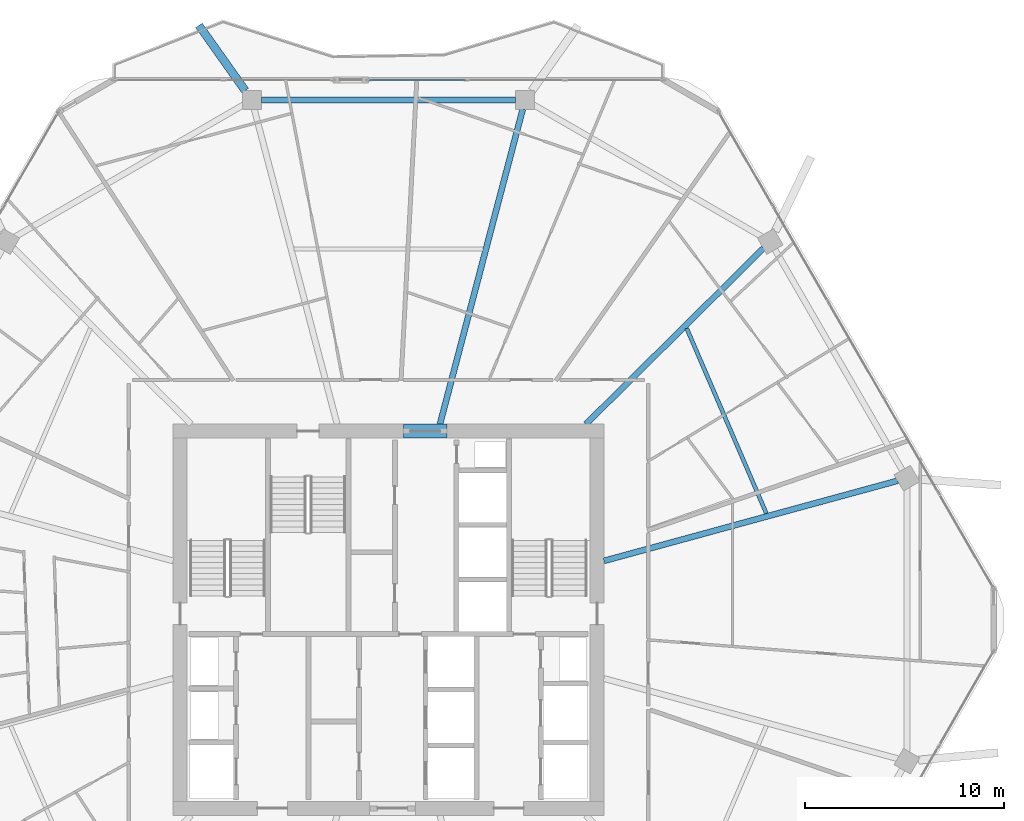
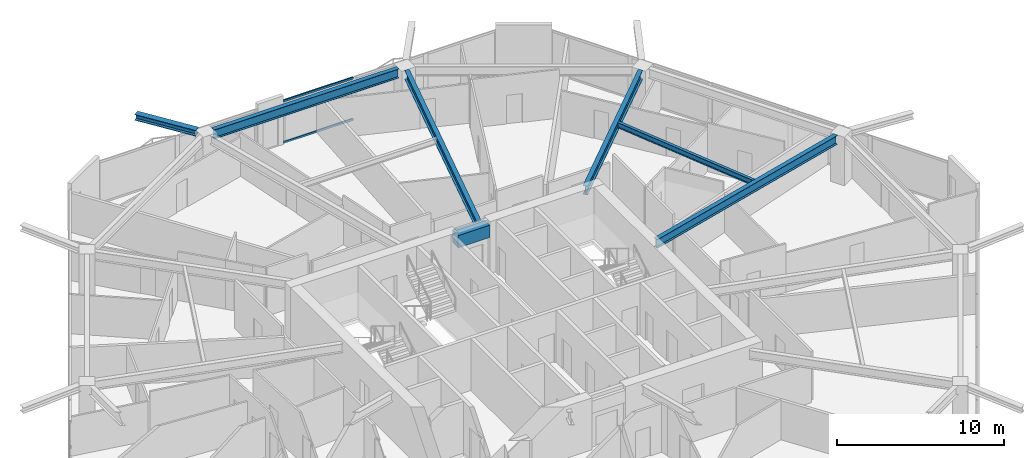
# One storey, part 15 of 27: 7 beams, 2 members, 1 element without a shape of its own.
"""IFC4 building model written with IfcOpenShell, lengths in metres."""

from ifc_helpers import new_model, si_unit, direction, frame, origin, origin_2d, place, context, subcontext, project, spatial, rectangle, hollow_rectangle, i_section, extrude, material, material_profile, profile_set, type_object, element, aggregate, save


model = new_model("IFC4")

# Units and contexts
model_context = context("Model", 3, precision=1e-05, world=origin(), true_north=direction((0.0, 1.0)))
body_context = subcontext(model_context, "Body", "Model", "MODEL_VIEW")
ifc_project = project(units=[si_unit("LENGTHUNIT", "METRE"), si_unit("AREAUNIT", "SQUARE_METRE"), si_unit("VOLUMEUNIT", "CUBIC_METRE"), si_unit("PLANEANGLEUNIT", "RADIAN"), si_unit("MASSUNIT", "GRAM", prefix="KILO")], contexts=[model_context])

# Site, building, storey
site_placement = place(None, origin())
site = spatial("IfcSite", under=ifc_project, at=site_placement, CompositionType="ELEMENT")
building_placement = place(site_placement, origin())
building = spatial("IfcBuilding", under=site, at=building_placement, Name="Zuhravey Tower", CompositionType="ELEMENT")
storey_placement = place(building_placement, frame((0.0, 0.0, 218.800048828125)))
storey = spatial("IfcBuildingStorey", under=building, at=storey_placement, Name="L55", CompositionType="ELEMENT", Elevation=218.800048828125)

# Beam
ifc_material_1 = material(Name="Concrete C60/75", Category="concrete")
ifc_material_profile_1 = material_profile(ifc_material_1, rectangle(XDim=0.699951171875, YDim=0.89990234375, at=origin_2d()), Name="RC-700x900")
ifc_profile_set_1 = profile_set([ifc_material_profile_1], Name="Concrete C60/75")
beam_type_1 = type_object("IfcBeamType", Name="Core Coupling Beam RC700x900", PredefinedType="LINTEL", material=ifc_profile_set_1)
beam_1_placement = place(storey_placement, frame((36.751953125, 41.5, 3.099853515625), z_axis=(1.0, 0.0, 0.0), x_axis=(0.0, 1.0, 0.0)))
element("IfcBeam", 1, at=beam_1_placement, inside=storey, type_object=beam_type_1, Name="L55 CB1 BM-L55-CB-N", PredefinedType="LINTEL", context=body_context, shape_type="SweptSolid", body=[
    extrude(rectangle(XDim=0.699951171875, YDim=0.89990234375, at=origin_2d()), origin(), (0.0, 0.0, 1.0), 2.196044921875),
])

# Curtain wall, members
ifc_material_2 = material(Name="Thermally broken anodised aluminium", Category="aluminium")
curtain_wall_type = type_object("IfcCurtainWallType", Name="Zone 1-2 Residential Curtain Wall CW3", PredefinedType="NOTDEFINED", material=ifc_material_2)
curtain_wall_placement = place(storey_placement, origin())
curtain_wall = element("IfcCurtainWall", 2, at=curtain_wall_placement, inside=storey, type_object=curtain_wall_type, Name="L55 CW3 CW-L55-F2-2", PredefinedType="NOTDEFINED")
ifc_material_3 = material(Name="Anodised aluminium", Category="aluminium")
ifc_material_profile_2 = material_profile(ifc_material_3, hollow_rectangle(XDim=0.090087890625, YDim=0.14990234375, WallThickness=0.0048828125, at=origin_2d()), Name="ALU-RHS-90x150x5")
ifc_profile_set_2 = profile_set([ifc_material_profile_2], Name="Anodised aluminium")
member_type = type_object("IfcMemberType", Name="Curtain-Wall Transom 90x150", PredefinedType="USERDEFINED", material=ifc_profile_set_2)
member_1_placement = place(storey_placement, frame((35.0419921875, 59.18310546875, 0.044921875), z_axis=(1.0, 0.0, 0.0), x_axis=(0.0, 1.0, 0.0)))
member_1 = element("IfcMember", 3, at=member_1_placement, type_object=member_type, Name="CW3 transom 1.1", ObjectType="TRANSOM", PredefinedType="USERDEFINED", context=body_context, shape_type="SweptSolid", body=[
    extrude(hollow_rectangle(XDim=0.090087890625, YDim=0.14990234375, WallThickness=0.0048828125, at=origin_2d()), origin(), (0.0, 0.0, 1.0), 4.834716796875),
])
member_2_placement = place(storey_placement, frame((35.0419921875, 59.18310546875, 3.076904296875), z_axis=(1.0, 0.0, 0.0), x_axis=(0.0, 1.0, 0.0)))
member_2 = element("IfcMember", 4, at=member_2_placement, type_object=member_type, Name="CW3 transom 1.2", ObjectType="TRANSOM", PredefinedType="USERDEFINED", context=body_context, shape_type="SweptSolid", body=[
    extrude(hollow_rectangle(XDim=0.090087890625, YDim=0.14990234375, WallThickness=0.0048828125, at=origin_2d()), origin(), (0.0, 0.0, 1.0), 4.834716796875),
])
aggregate(curtain_wall, [member_1, member_2])

# Beams
ifc_material_4 = material(Name="Steel SM460", Category="steel")
ifc_material_profile_3 = material_profile(ifc_material_4, i_section(OverallWidth=0.406982421875, OverallDepth=0.427978515625, WebThickness=0.02001953125, FlangeThickness=0.034912109375, at=origin_2d()), Name="H-428x407x20x35")
ifc_profile_set_3 = profile_set([ifc_material_profile_3], Name="Steel SM460")
beam_type_2 = type_object("IfcBeamType", Name="Exoskeleton Node Tie Beam H428x407", PredefinedType="BEAM", material=ifc_profile_set_3)
beam_2_placement = place(storey_placement, frame((28.77880859375, 58.6513671875, 3.3359375), z_axis=(-0.578379549455, 0.815767795866, 0.0), x_axis=(-0.815767795866, -0.578379549455, 0.0)))
element("IfcBeam", 5, at=beam_2_placement, inside=storey, type_object=beam_type_2, Name="L55 Exoskeleton Node Tie NT1-04", PredefinedType="BEAM", context=body_context, shape_type="SweptSolid", body=[
    extrude(i_section(OverallWidth=0.406982421875, OverallDepth=0.427978515625, WebThickness=0.02001953125, FlangeThickness=0.034912109375, at=origin_2d()), origin(), (0.0, 0.0, 1.0), 4.020263671875),
])
ifc_material_5 = material(Name="Steel SM355", Category="steel")
ifc_material_profile_4 = material_profile(ifc_material_5, i_section(OverallWidth=0.300048828125, OverallDepth=0.679931640625, WebThickness=0.012939453125, FlangeThickness=0.02197265625, at=origin_2d()), Name="H-680x300x13x22")
ifc_profile_set_4 = profile_set([ifc_material_profile_4], Name="Steel SM355")
beam_type_3 = type_object("IfcBeamType", Name="Perimeter Ring Beam H680x300", PredefinedType="BEAM", material=ifc_profile_set_4)
beam_3_placement = place(storey_placement, frame((42.404052734375, 58.173095703125, 3.2099609375), z_axis=(-1.0, 0.0, 0.0), x_axis=(0.0, -1.0, 0.0)))
element("IfcBeam", 6, at=beam_3_placement, inside=storey, type_object=beam_type_3, Name="L55 PB2 BM-L55-PB-03", PredefinedType="BEAM", context=body_context, shape_type="SweptSolid", body=[
    extrude(i_section(OverallWidth=0.300048828125, OverallDepth=0.679931640625, WebThickness=0.012939453125, FlangeThickness=0.02197265625, at=origin_2d()), origin(), (0.0, 0.0, 1.0), 12.80810546875),
])
ifc_material_profile_5 = material_profile(ifc_material_5, i_section(OverallWidth=0.300048828125, OverallDepth=0.64990234375, WebThickness=0.012939453125, FlangeThickness=0.02197265625, at=origin_2d()), Name="H-650x300x13x22")
ifc_profile_set_5 = profile_set([ifc_material_profile_5], Name="Steel SM355")
beam_type_4 = type_object("IfcBeamType", Name="Radial Primary Girder H650x300", PredefinedType="BEAM", material=ifc_profile_set_5)
beam_4_placement = place(storey_placement, frame((46.85302734375, 34.96240234375, 3.224853515625), z_axis=(0.964701703464, 0.263345065139, 0.0), x_axis=(-0.263345065139, 0.964701703464, 0.0)))
element("IfcBeam", 7, at=beam_4_placement, inside=storey, type_object=beam_type_4, Name="L55 RG2 BM-L55-RAD-01", PredefinedType="BEAM", context=body_context, shape_type="SweptSolid", body=[
    extrude(i_section(OverallWidth=0.300048828125, OverallDepth=0.64990234375, WebThickness=0.012939453125, FlangeThickness=0.02197265625, at=origin_2d()), origin(), (0.0, 0.0, 1.0), 15.334716796875),
])
beam_5_placement = place(storey_placement, frame((45.945556640625, 41.85302734375, 3.224853515625), z_axis=(0.710406645816, 0.703791444663, 0.0), x_axis=(-0.703791444663, 0.710406645816, 0.0)))
element("IfcBeam", 8, at=beam_5_placement, inside=storey, type_object=beam_type_4, Name="L55 RG2 BM-L55-RAD-02", PredefinedType="BEAM", context=body_context, shape_type="SweptSolid", body=[
    extrude(i_section(OverallWidth=0.300048828125, OverallDepth=0.64990234375, WebThickness=0.012939453125, FlangeThickness=0.02197265625, at=origin_2d()), origin(), (0.0, 0.0, 1.0), 12.5849609375),
])
beam_6_placement = place(storey_placement, frame((38.5908203125, 41.85302734375, 3.224853515625), z_axis=(0.254299806285, 0.967125435775, 0.0), x_axis=(-0.967125435775, 0.254299806285, 0.0)))
element("IfcBeam", 9, at=beam_6_placement, inside=storey, type_object=beam_type_4, Name="L55 RG2 BM-L55-RAD-03", PredefinedType="BEAM", context=body_context, shape_type="SweptSolid", body=[
    extrude(i_section(OverallWidth=0.300048828125, OverallDepth=0.64990234375, WebThickness=0.012939453125, FlangeThickness=0.02197265625, at=origin_2d()), origin(), (0.0, 0.0, 1.0), 16.396728515625),
])
ifc_material_profile_6 = material_profile(ifc_material_5, i_section(OverallWidth=0.199951171875, OverallDepth=0.39990234375, WebThickness=0.008056640625, FlangeThickness=0.012939453125, at=origin_2d()), Name="H-400x200x8x13")
ifc_profile_set_6 = profile_set([ifc_material_profile_6], Name="Steel SM355")
beam_type_5 = type_object("IfcBeamType", Name="Secondary Floor Joist H400x200", PredefinedType="JOIST", material=ifc_profile_set_6)
beam_7_placement = place(storey_placement, frame((55.029541015625, 37.3525390625, 3.349853515625), z_axis=(-0.395265853487, 0.918566766799, 0.0), x_axis=(-0.918566766799, -0.395265853487, 0.0)))
element("IfcBeam", 10, at=beam_7_placement, inside=storey, type_object=beam_type_5, Name="L55 SJ2 BM-L55-SJ-01-1", PredefinedType="JOIST", context=body_context, shape_type="SweptSolid", body=[
    extrude(i_section(OverallWidth=0.199951171875, OverallDepth=0.39990234375, WebThickness=0.008056640625, FlangeThickness=0.012939453125, at=origin_2d()), origin(), (0.0, 0.0, 1.0), 10.150146484375),
])

save(model, "model.ifc")
